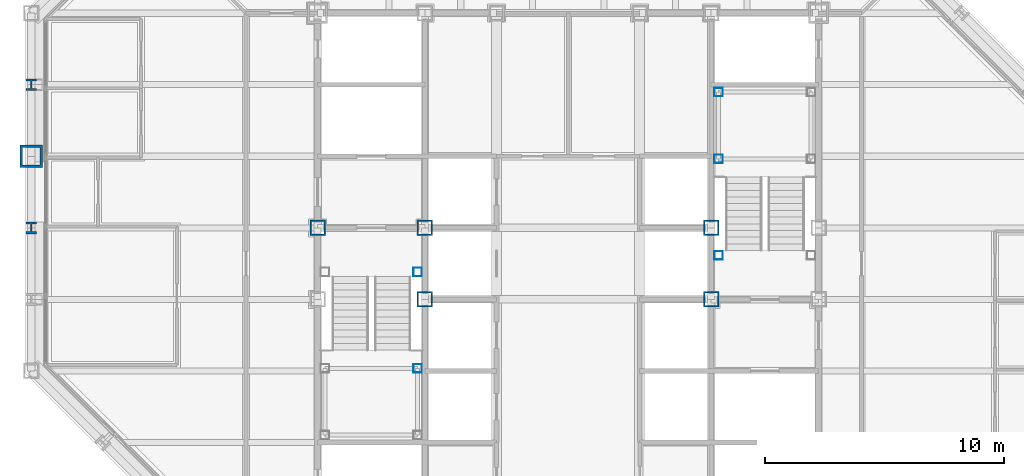
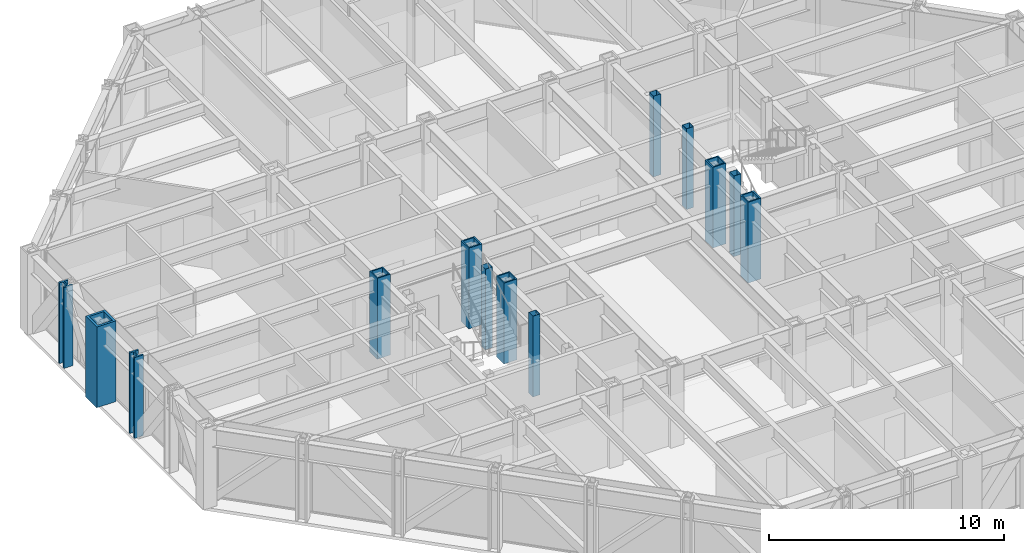
# One storey, part 2 of 16: 13 columns.
"""IFC4 building model written with IfcOpenShell, lengths in metres."""

from ifc_helpers import new_model, si_unit, direction, frame, origin, origin_2d, place, context, subcontext, project, spatial, hollow_rectangle, i_section, extrude, material, material_profile, profile_set, type_object, element, save


model = new_model("IFC4")

# Units and contexts
model_context = context("Model", 3, precision=1e-05, world=origin(), true_north=direction((0.0, 1.0)))
body_context = subcontext(model_context, "Body", "Model", "MODEL_VIEW")
ifc_project = project(units=[si_unit("LENGTHUNIT", "METRE"), si_unit("AREAUNIT", "SQUARE_METRE"), si_unit("VOLUMEUNIT", "CUBIC_METRE"), si_unit("PLANEANGLEUNIT", "RADIAN"), si_unit("MASSUNIT", "GRAM", prefix="KILO")], contexts=[model_context])

# Site, building, storey
site_placement = place(None, origin())
site = spatial("IfcSite", under=ifc_project, at=site_placement, CompositionType="ELEMENT")
building_placement = place(site_placement, origin())
building = spatial("IfcBuilding", under=site, at=building_placement, Name="Chuquiago Exchange Tower", CompositionType="ELEMENT")
storey_placement = place(building_placement, frame((0.0, 0.0, 213.89990234375)))
storey = spatial("IfcBuildingStorey", under=building, at=storey_placement, Name="L47", CompositionType="ELEMENT", Elevation=213.89990234375)

# Columns
ifc_material_1 = material(Name="Steel ASTM A992", Category="steel")
ifc_material_profile_1 = material_profile(ifc_material_1, i_section(OverallWidth=0.431884765625, OverallDepth=0.497802734375, WebThickness=0.0556640625, FlangeThickness=0.0888671875, at=origin_2d()), Name="W14X500")
ifc_profile_set_1 = profile_set([ifc_material_profile_1], Name="Steel ASTM A992")
column_type_1 = type_object("IfcColumnType", Name="C4 W14X500", PredefinedType="COLUMN", material=ifc_profile_set_1)
for number, where, z_axis, x_axis, name in (
    (1, (0.0, 30.0, 0.0), (0.0, 0.0, 1.0), (-1.0, 0.0, 0.0), "COL-L47-0_30"),
    (2, (0.0, 24.0, 0.0), (0.0, 0.0, 1.0), (-1.0, 0.0, 0.0), "COL-L47-0_24"),
):
    element("IfcColumn", number, at=place(storey_placement, frame(where, z_axis=z_axis, x_axis=x_axis)), inside=storey, type_object=column_type_1, Name=name, PredefinedType="COLUMN", context=body_context, shape_type="SweptSolid", body=[
        extrude(i_section(OverallWidth=0.431884765625, OverallDepth=0.497802734375, WebThickness=0.0556640625, FlangeThickness=0.0888671875, at=origin_2d()), origin(), (0.0, 0.0, 1.0), 4.2001953125),
    ])
ifc_material_2 = material(Name="Steel ASTM A572 Grade 50", Category="steel")
ifc_material_profile_2 = material_profile(ifc_material_2, hollow_rectangle(XDim=0.64990234375, YDim=0.64990234375, WallThickness=0.06494140625, at=origin_2d()), Name="BOX650X650X65")
ifc_profile_set_2 = profile_set([ifc_material_profile_2], Name="Steel ASTM A572 Grade 50")
column_type_2 = type_object("IfcColumnType", Name="CC4 BOX650X650X65", PredefinedType="COLUMN", material=ifc_profile_set_2)
for number, where, z_axis, x_axis, name in (
    (3, (12.0, 24.0, 0.0), (0.0, 0.0, 1.0), (1.0, 0.0, 0.0), "CCOL-L47-12_24"),
    (4, (16.5, 21.0, 0.0), (0.0, 0.0, 1.0), (1.0, 0.0, 0.0), "CCOL-L47-16.5_21"),
    (5, (16.5, 24.0, 0.0), (0.0, 0.0, 1.0), (1.0, 0.0, 0.0), "CCOL-L47-16.5_24"),
    (6, (28.5, 21.0, 0.0), (0.0, 0.0, 1.0), (1.0, 0.0, 0.0), "CCOL-L47-28.5_21"),
    (7, (28.5, 24.0, 0.0), (0.0, 0.0, 1.0), (1.0, 0.0, 0.0), "CCOL-L47-28.5_24"),
):
    element("IfcColumn", number, at=place(storey_placement, frame(where, z_axis=z_axis, x_axis=x_axis)), inside=storey, type_object=column_type_2, Name=name, PredefinedType="COLUMN", context=body_context, shape_type="SweptSolid", body=[
        extrude(hollow_rectangle(XDim=0.64990234375, YDim=0.64990234375, WallThickness=0.06494140625, at=origin_2d()), origin(), (0.0, 0.0, 1.0), 4.2001953125),
    ])
ifc_material_3 = material(Name="Steel ASTM A572 Grade 42", Category="steel")
ifc_material_profile_3 = material_profile(ifc_material_3, hollow_rectangle(XDim=0.949951171875, YDim=0.949951171875, WallThickness=0.110107421875, at=origin_2d()), Name="BOX950X950X110")
ifc_profile_set_3 = profile_set([ifc_material_profile_3], Name="Steel ASTM A572 Grade 42")
column_type_3 = type_object("IfcColumnType", Name="CT1 BOX950X950X110", PredefinedType="COLUMN", material=ifc_profile_set_3)
column_placement = place(storey_placement, frame((0.0, 27.0, 0.0), z_axis=(0.0, 0.0, 1.0), x_axis=(-1.0, 0.0, 0.0)))
element("IfcColumn", 8, at=column_placement, inside=storey, type_object=column_type_3, Name="COL-L47-0_27", PredefinedType="COLUMN", context=body_context, shape_type="SweptSolid", body=[
    extrude(hollow_rectangle(XDim=0.949951171875, YDim=0.949951171875, WallThickness=0.110107421875, at=origin_2d()), origin(), (0.0, 0.0, 1.0), 4.2001953125),
])
ifc_material_4 = material(Name="Steel ASTM A500 Grade C", Category="steel")
ifc_material_profile_4 = material_profile(ifc_material_4, hollow_rectangle(XDim=0.355712890625, YDim=0.355712890625, WallThickness=0.0087890625, at=origin_2d()), Name="HSS14X14X3/8")
ifc_profile_set_4 = profile_set([ifc_material_profile_4], Name="Steel ASTM A500 Grade C")
column_type_4 = type_object("IfcColumnType", Name="PT1 HSS14X14X3/8", PredefinedType="COLUMN", material=ifc_profile_set_4)
for number, where, z_axis, x_axis, name in (
    (9, (16.18994140625, 18.110107421875, 0.0), (0.0, 0.0, 1.0), (1.0, 0.0, 0.0), "Stair ST1 L47 landing post"),
    (10, (16.18994140625, 22.14990234375, 0.0), (0.0, 0.0, 1.0), (1.0, 0.0, 0.0), "Stair ST1 L47 landing post"),
    (11, (28.81005859375, 29.68994140625, 0.0), (0.0, 0.0, 1.0), (1.0, 0.0, 0.0), "Stair ST2 L47 landing post"),
    (12, (28.81005859375, 26.889892578125, 0.0), (0.0, 0.0, 1.0), (1.0, 0.0, 0.0), "Stair ST2 L47 landing post"),
    (13, (28.81005859375, 22.85009765625, 0.0), (0.0, 0.0, 1.0), (1.0, 0.0, 0.0), "Stair ST2 L47 landing post"),
):
    element("IfcColumn", number, at=place(storey_placement, frame(where, z_axis=z_axis, x_axis=x_axis)), inside=storey, type_object=column_type_4, Name=name, PredefinedType="COLUMN", context=body_context, shape_type="SweptSolid", body=[
        extrude(hollow_rectangle(XDim=0.355712890625, YDim=0.355712890625, WallThickness=0.0087890625, at=origin_2d()), origin(), (0.0, 0.0, 1.0), 4.2001953125),
    ])

save(model, "model.ifc")
